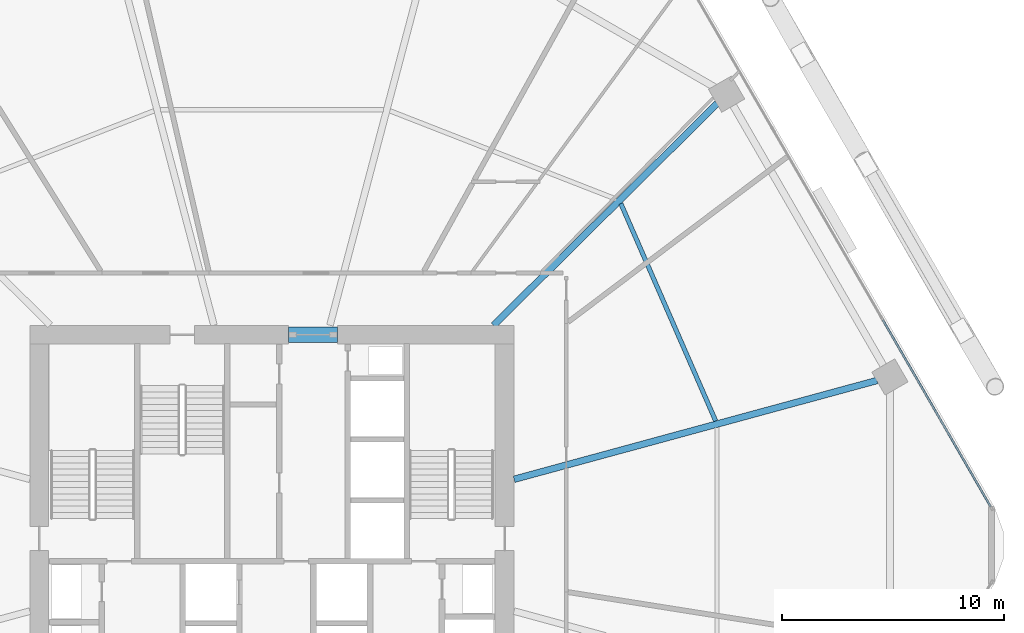
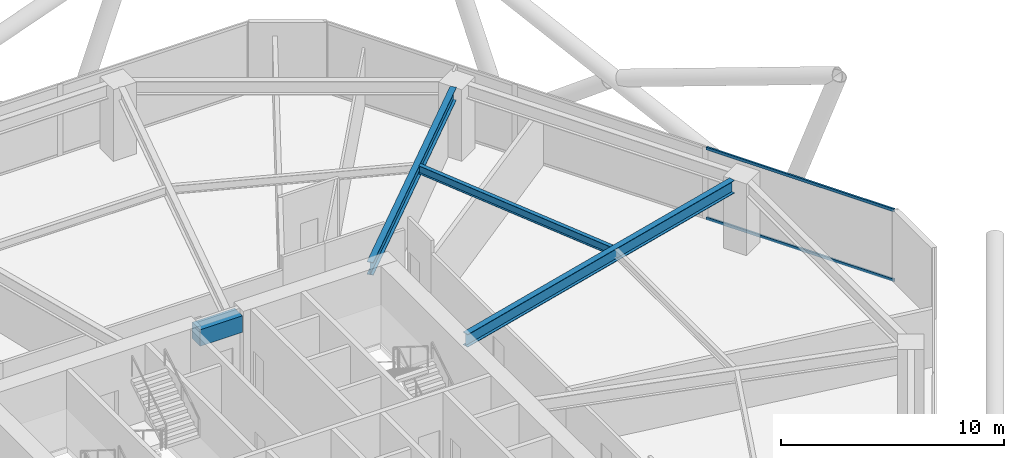
# One storey, part 18 of 30: 4 beams, 2 members, 1 element without a shape of its own.
"""IFC4 building model written with IfcOpenShell, lengths in metres."""

from ifc_helpers import new_model, si_unit, direction, frame, origin, origin_2d, place, context, subcontext, project, spatial, rectangle, hollow_rectangle, i_section, extrude, material, material_profile, profile_set, type_object, element, aggregate, save


model = new_model("IFC4")

# Units and contexts
model_context = context("Model", 3, precision=1e-05, world=origin(), true_north=direction((0.0, 1.0)))
body_context = subcontext(model_context, "Body", "Model", "MODEL_VIEW")
ifc_project = project(units=[si_unit("LENGTHUNIT", "METRE"), si_unit("AREAUNIT", "SQUARE_METRE"), si_unit("VOLUMEUNIT", "CUBIC_METRE"), si_unit("PLANEANGLEUNIT", "RADIAN"), si_unit("MASSUNIT", "GRAM", prefix="KILO")], contexts=[model_context])

# Site, building, storey
site_placement = place(None, origin())
site = spatial("IfcSite", under=ifc_project, at=site_placement, CompositionType="ELEMENT")
building_placement = place(site_placement, origin())
building = spatial("IfcBuilding", under=site, at=building_placement, Name="Zuhravey Tower", CompositionType="ELEMENT")
storey_placement = place(building_placement, frame((0.0, 0.0, 33.0)))
storey = spatial("IfcBuildingStorey", under=building, at=storey_placement, Name="L08", CompositionType="ELEMENT", Elevation=33.0)

# Beam
ifc_material_1 = material(Name="Concrete C60/75", Category="concrete")
ifc_material_profile_1 = material_profile(ifc_material_1, rectangle(XDim=0.699951171875, YDim=0.89990234375, at=origin_2d()), Name="RC-700x900")
ifc_profile_set_1 = profile_set([ifc_material_profile_1], Name="Concrete C60/75")
beam_type_1 = type_object("IfcBeamType", Name="Core Coupling Beam RC700x900", PredefinedType="LINTEL", material=ifc_profile_set_1)
beam_1_placement = place(storey_placement, frame((36.751953125, 41.5, 3.469970703125), z_axis=(1.0, 0.0, 0.0), x_axis=(0.0, 1.0, 0.0)))
element("IfcBeam", 1, at=beam_1_placement, inside=storey, type_object=beam_type_1, Name="L08 CB1 BM-L08-CB-N", PredefinedType="LINTEL", context=body_context, shape_type="SweptSolid", body=[
    extrude(rectangle(XDim=0.699951171875, YDim=0.89990234375, at=origin_2d()), origin(), (0.0, 0.0, 1.0), 2.196044921875),
])

# Curtain wall, members
ifc_material_2 = material(Name="Thermally broken anodised aluminium", Category="aluminium")
curtain_wall_type = type_object("IfcCurtainWallType", Name="School Low-E Unitised Curtain Wall CW1", PredefinedType="NOTDEFINED", material=ifc_material_2)
curtain_wall_placement = place(storey_placement, origin())
curtain_wall = element("IfcCurtainWall", 2, at=curtain_wall_placement, inside=storey, type_object=curtain_wall_type, Name="L08 CW1 CW-L08-F1-1", PredefinedType="NOTDEFINED")
ifc_material_3 = material(Name="Anodised aluminium", Category="aluminium")
ifc_material_profile_2 = material_profile(ifc_material_3, hollow_rectangle(XDim=0.090087890625, YDim=0.14990234375, WallThickness=0.0048828125, at=origin_2d()), Name="ALU-RHS-90x150x5")
ifc_profile_set_2 = profile_set([ifc_material_profile_2], Name="Anodised aluminium")
member_type = type_object("IfcMemberType", Name="Curtain-Wall Transom 90x150", PredefinedType="USERDEFINED", material=ifc_profile_set_2)
member_1_placement = place(storey_placement, frame((63.56787109375, 42.16796875, 0.044921875), z_axis=(0.500008393077, -0.866020557985, 0.0), x_axis=(0.866020557985, 0.500008393077, 0.0)))
member_1 = element("IfcMember", 3, at=member_1_placement, type_object=member_type, Name="CW1 transom 3.1", ObjectType="TRANSOM", PredefinedType="USERDEFINED", context=body_context, shape_type="SweptSolid", body=[
    extrude(hollow_rectangle(XDim=0.090087890625, YDim=0.14990234375, WallThickness=0.0048828125, at=origin_2d()), origin(), (0.0, 0.0, 1.0), 9.731201171875),
])
member_2_placement = place(storey_placement, frame((63.56787109375, 42.16796875, 3.875), z_axis=(0.500008393077, -0.866020557985, 0.0), x_axis=(0.866020557985, 0.500008393077, 0.0)))
member_2 = element("IfcMember", 4, at=member_2_placement, type_object=member_type, Name="CW1 transom 3.2", ObjectType="TRANSOM", PredefinedType="USERDEFINED", context=body_context, shape_type="SweptSolid", body=[
    extrude(hollow_rectangle(XDim=0.090087890625, YDim=0.14990234375, WallThickness=0.0048828125, at=origin_2d()), origin(), (0.0, 0.0, 1.0), 9.731201171875),
])
aggregate(curtain_wall, [member_1, member_2])

# Beams
ifc_material_4 = material(Name="Steel SM355", Category="steel")
ifc_material_profile_3 = material_profile(ifc_material_4, i_section(OverallWidth=0.300048828125, OverallDepth=0.699951171875, WebThickness=0.012939453125, FlangeThickness=0.02392578125, at=origin_2d()), Name="H-700x300x13x24")
ifc_profile_set_3 = profile_set([ifc_material_profile_3], Name="Steel SM355")
beam_type_2 = type_object("IfcBeamType", Name="Radial Primary Girder H700x300", PredefinedType="BEAM", material=ifc_profile_set_3)
beam_2_placement = place(storey_placement, frame((46.927978515625, 34.974609375, 3.570068359375), z_axis=(0.964892480455, 0.26264520015, 0.0), x_axis=(-0.26264520015, 0.964892480455, 0.0)))
element("IfcBeam", 5, at=beam_2_placement, inside=storey, type_object=beam_type_2, Name="L08 RG1 BM-L08-RAD-01", PredefinedType="BEAM", context=body_context, shape_type="SweptSolid", body=[
    extrude(i_section(OverallWidth=0.300048828125, OverallDepth=0.699951171875, WebThickness=0.012939453125, FlangeThickness=0.02392578125, at=origin_2d()), origin(), (0.0, 0.0, 1.0), 16.975341796875),
])
beam_3_placement = place(storey_placement, frame((46.007080078125, 41.927978515625, 3.570068359375), z_axis=(0.709902823282, 0.704299639, 0.0), x_axis=(-0.704299639, 0.709902823282, 0.0)))
element("IfcBeam", 6, at=beam_3_placement, inside=storey, type_object=beam_type_2, Name="L08 RG1 BM-L08-RAD-02", PredefinedType="BEAM", context=body_context, shape_type="SweptSolid", body=[
    extrude(i_section(OverallWidth=0.300048828125, OverallDepth=0.699951171875, WebThickness=0.012939453125, FlangeThickness=0.02392578125, at=origin_2d()), origin(), (0.0, 0.0, 1.0), 14.204345703125),
])
ifc_material_profile_4 = material_profile(ifc_material_4, i_section(OverallWidth=0.199951171875, OverallDepth=0.449951171875, WebThickness=0.009033203125, FlangeThickness=0.013916015625, at=origin_2d()), Name="H-450x200x9x14")
ifc_profile_set_4 = profile_set([ifc_material_profile_4], Name="Steel SM355")
beam_type_3 = type_object("IfcBeamType", Name="Secondary Floor Joist H450x200", PredefinedType="JOIST", material=ifc_profile_set_4)
beam_4_placement = place(storey_placement, frame((56.025390625, 37.60888671875, 3.695068359375), z_axis=(-0.399923551578, 0.916548500022, 0.0), x_axis=(-0.916548500022, -0.399923551578, 0.0)))
element("IfcBeam", 7, at=beam_4_placement, inside=storey, type_object=beam_type_3, Name="L08 SJ1 BM-L08-SJ-01-1", PredefinedType="JOIST", context=body_context, shape_type="SweptSolid", body=[
    extrude(i_section(OverallWidth=0.199951171875, OverallDepth=0.449951171875, WebThickness=0.009033203125, FlangeThickness=0.013916015625, at=origin_2d()), origin(), (0.0, 0.0, 1.0), 10.70263671875),
])

save(model, "model.ifc")
